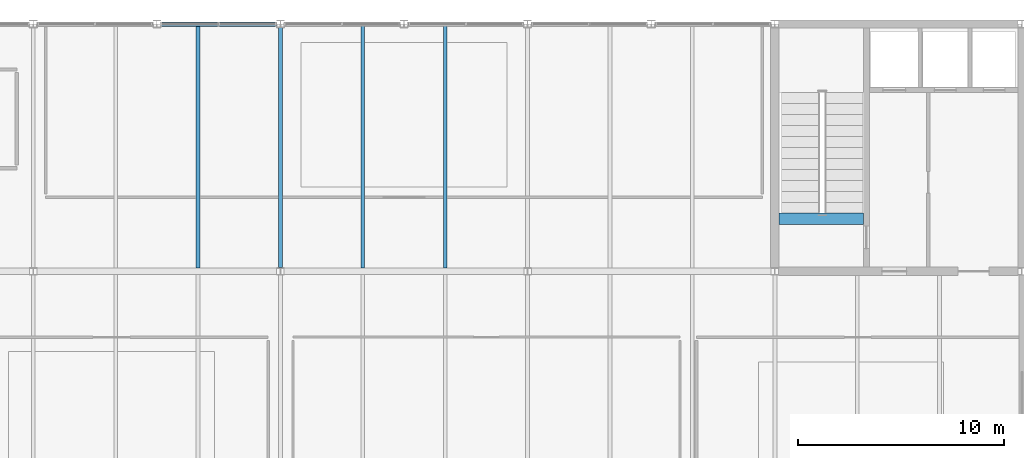
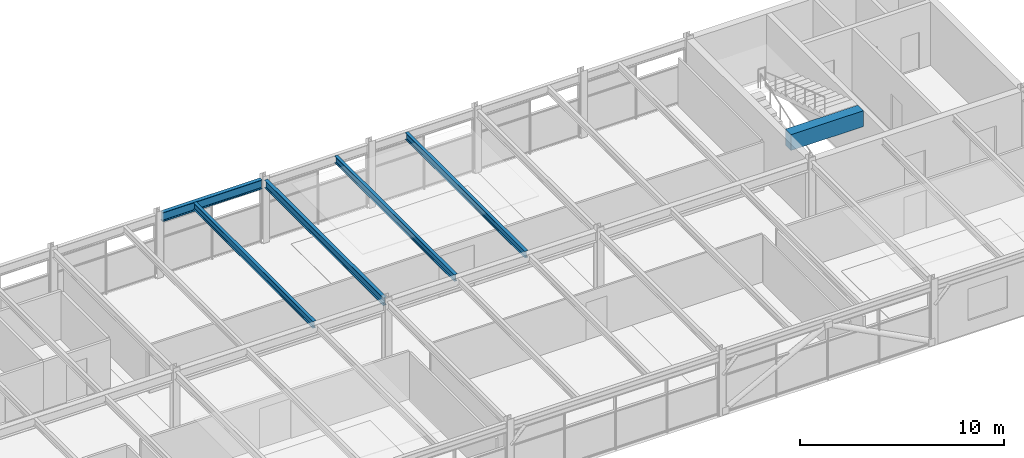
# One storey, part 14 of 23: 6 beams.
"""IFC4 building model written with IfcOpenShell, lengths in metres."""

from ifc_helpers import new_model, si_unit, direction, frame, origin, origin_2d, place, context, subcontext, project, spatial, rectangle, i_section, extrude, material, material_profile, profile_set, type_object, element, save


model = new_model("IFC4")

# Units and contexts
model_context = context("Model", 3, precision=1e-05, world=origin(), true_north=direction((0.0, 1.0)))
body_context = subcontext(model_context, "Body", "Model", "MODEL_VIEW")
ifc_project = project(units=[si_unit("LENGTHUNIT", "METRE"), si_unit("AREAUNIT", "SQUARE_METRE"), si_unit("VOLUMEUNIT", "CUBIC_METRE"), si_unit("PLANEANGLEUNIT", "RADIAN"), si_unit("MASSUNIT", "GRAM", prefix="KILO")], contexts=[model_context])

# Site, building, storey
site_placement = place(None, origin())
site = spatial("IfcSite", under=ifc_project, at=site_placement, CompositionType="ELEMENT")
building_placement = place(site_placement, origin())
building = spatial("IfcBuilding", under=site, at=building_placement, Name="Girod Span Mobility Hub", CompositionType="ELEMENT")
storey_placement = place(building_placement, frame((0.0, 0.0, 65.60009765625)))
storey = spatial("IfcBuildingStorey", under=building, at=storey_placement, Name="L16", CompositionType="ELEMENT", Elevation=65.60009765625)

# Beams
ifc_material_1 = material(Name="Concrete C40/50", Category="concrete")
ifc_material_profile_1 = material_profile(ifc_material_1, rectangle(XDim=0.550048828125, YDim=0.949951171875, at=origin_2d()), Name="RK-550X950")
ifc_profile_set_1 = profile_set([ifc_material_profile_1], Name="Concrete C40/50")
beam_type_1 = type_object("IfcBeamType", Name="BM-RK-550X950", PredefinedType="BEAM", material=ifc_profile_set_1)
beam_1_placement = place(storey_placement, frame((108.197021484375, 59.550048828125, 3.31494140625), z_axis=(1.0, 0.0, 0.0), x_axis=(0.0, 1.0, 0.0)))
element("IfcBeam", 1, at=beam_1_placement, inside=storey, type_object=beam_type_1, Name="Stair ST-2 Landing Header Beam L16", PredefinedType="BEAM", context=body_context, shape_type="SweptSolid", body=[
    extrude(rectangle(XDim=0.550048828125, YDim=0.949951171875, at=origin_2d()), origin(), (0.0, 0.0, 1.0), 4.10595703125),
])
ifc_material_2 = material(Name="Steel A992 Grade 50", Category="steel")
ifc_material_profile_2 = material_profile(ifc_material_2, i_section(OverallWidth=0.178955078125, OverallDepth=0.409912109375, WebThickness=0.0087890625, FlangeThickness=0.014404296875, FilletRadius=0.012939453125, at=origin_2d()), Name="W16X45")
ifc_profile_set_2 = profile_set([ifc_material_profile_2], Name="Steel A992 Grade 50")
beam_type_2 = type_object("IfcBeamType", Name="BM-STL-W16X45", PredefinedType="BEAM", material=ifc_profile_set_2)
for number, where, z_axis, x_axis, name in (
    (2, (80.0, 57.158935546875, 3.5849609375), (0.0, 1.0, 0.0), (-1.0, 0.0, 0.0), "Composite Floorbeam 7/E-2 L16"),
    (3, (88.0, 57.158935546875, 3.5849609375), (0.0, 1.0, 0.0), (-1.0, 0.0, 0.0), "Composite Floorbeam 8/E-1 L16"),
    (4, (92.0, 57.158935546875, 3.5849609375), (0.0, 1.0, 0.0), (-1.0, 0.0, 0.0), "Composite Floorbeam 8/E-2 L16"),
):
    element("IfcBeam", number, at=place(storey_placement, frame(where, z_axis=z_axis, x_axis=x_axis)), inside=storey, type_object=beam_type_2, Name=name, PredefinedType="BEAM", context=body_context, shape_type="SweptSolid", body=[
        extrude(i_section(OverallWidth=0.178955078125, OverallDepth=0.409912109375, WebThickness=0.0087890625, FlangeThickness=0.014404296875, FilletRadius=0.012939453125, at=origin_2d()), origin(), (0.0, 0.0, 1.0), 11.738037109375),
    ])
ifc_material_3 = material(Name="Steel A992 Grade 50", Category="steel")
ifc_material_profile_3 = material_profile(ifc_material_3, i_section(OverallWidth=0.19189453125, OverallDepth=0.462890625, WebThickness=0.010498046875, FlangeThickness=0.017578125, FilletRadius=0.013916015625, at=origin_2d()), Name="W18X60")
ifc_profile_set_3 = profile_set([ifc_material_profile_3], Name="Steel A992 Grade 50")
beam_type_3 = type_object("IfcBeamType", Name="BM-STL-W18X60", PredefinedType="BEAM", material=ifc_profile_set_3)
beam_2_placement = place(storey_placement, frame((84.0, 57.175048828125, 3.558349609375), z_axis=(0.0, 1.0, 0.0), x_axis=(-1.0, 0.0, 0.0)))
element("IfcBeam", 5, at=beam_2_placement, inside=storey, type_object=beam_type_3, Name="Tie Girder 8/E-F L16", PredefinedType="BEAM", context=body_context, shape_type="SweptSolid", body=[
    extrude(i_section(OverallWidth=0.19189453125, OverallDepth=0.462890625, WebThickness=0.010498046875, FlangeThickness=0.017578125, FilletRadius=0.013916015625, at=origin_2d()), origin(), (0.0, 0.0, 1.0), 11.64990234375),
])
ifc_material_4 = material(Name="Steel A992 Grade 50", Category="steel")
ifc_material_profile_4 = material_profile(ifc_material_4, i_section(OverallWidth=0.2119140625, OverallDepth=0.5439453125, WebThickness=0.01318359375, FlangeThickness=0.021240234375, FilletRadius=0.014892578125, at=origin_2d()), Name="W21X83")
ifc_profile_set_4 = profile_set([ifc_material_profile_4], Name="Steel A992 Grade 50")
beam_type_4 = type_object("IfcBeamType", Name="BM-STL-W21X83", PredefinedType="SPANDREL", material=ifc_profile_set_4)
beam_3_placement = place(storey_placement, frame((78.181396484375, 69.0, 3.517822265625), z_axis=(1.0, 0.0, 0.0), x_axis=(0.0, 1.0, 0.0)))
element("IfcBeam", 6, at=beam_3_placement, inside=storey, type_object=beam_type_4, Name="Spandrel Beam 7-8/F-E L16", PredefinedType="SPANDREL", context=body_context, shape_type="SweptSolid", body=[
    extrude(i_section(OverallWidth=0.2119140625, OverallDepth=0.5439453125, WebThickness=0.01318359375, FlangeThickness=0.021240234375, FilletRadius=0.014892578125, at=origin_2d()), origin(), (0.0, 0.0, 1.0), 5.63720703125),
])

save(model, "model.ifc")
